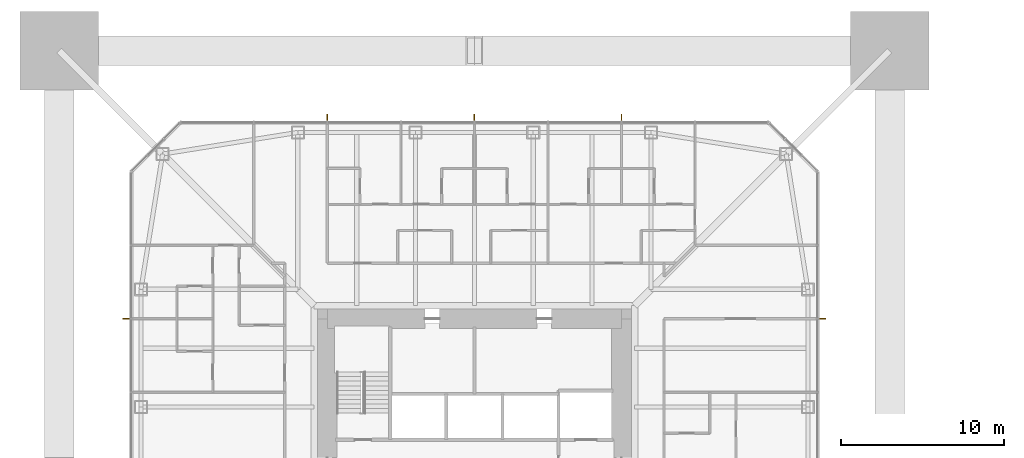
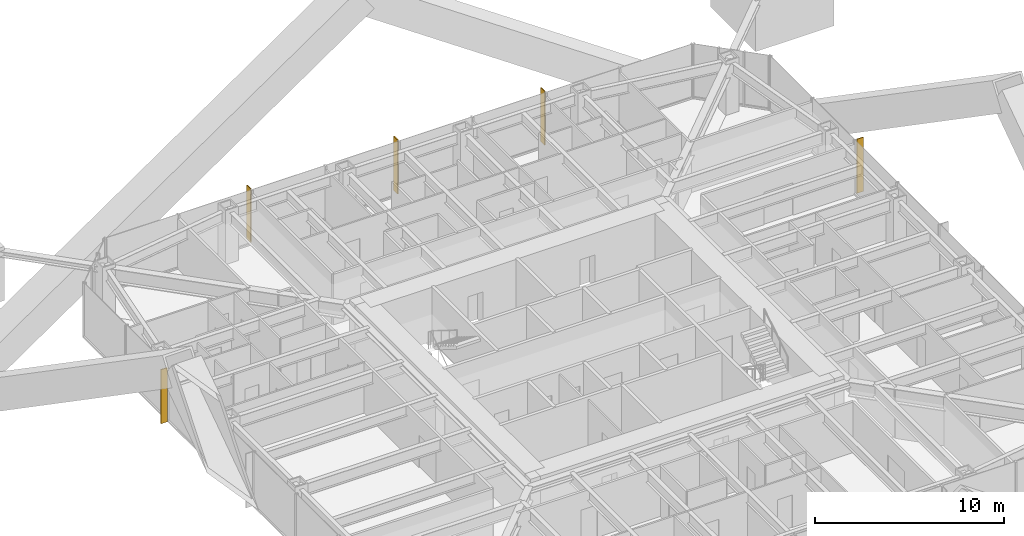
# One storey, part 25 of 26: 5 shading devices.
"""IFC4 building model written with IfcOpenShell, lengths in metres."""

from ifc_helpers import new_model, si_unit, direction, frame, origin, origin_2d, place, context, subcontext, project, spatial, rectangle, extrude, material, layer, layer_set, type_object, element, save


model = new_model("IFC4")

# Units and contexts
model_context = context("Model", 3, precision=1e-05, world=origin(), true_north=direction((0.0, 1.0)))
body_context = subcontext(model_context, "Body", "Model", "MODEL_VIEW")
ifc_project = project(units=[si_unit("LENGTHUNIT", "METRE"), si_unit("AREAUNIT", "SQUARE_METRE"), si_unit("VOLUMEUNIT", "CUBIC_METRE"), si_unit("PLANEANGLEUNIT", "RADIAN"), si_unit("MASSUNIT", "GRAM", prefix="KILO")], contexts=[model_context])

# Site, building, storey
site_placement = place(None, origin())
site = spatial("IfcSite", under=ifc_project, at=site_placement, CompositionType="ELEMENT")
building_placement = place(site_placement, origin())
building = spatial("IfcBuilding", under=site, at=building_placement, Name="Iwan Alto Co-Living Towers", CompositionType="ELEMENT")
storey_placement = place(building_placement, frame((0.0, 0.0, 115.5)))
storey = spatial("IfcBuildingStorey", under=building, at=storey_placement, Name="L31", CompositionType="ELEMENT", Elevation=115.5)

# Shading devices
ifc_material = material(Name="Aluminium 6063-T6 bronze anodised", Category="aluminium")
ifc_layer = layer(ifc_material, 0.050048828125)
ifc_layer_set = layer_set([ifc_layer], Name="BRONZE FIN 50X400")
shading_device_type = type_object("IfcShadingDeviceType", Name="BRONZE FIN 50X400", PredefinedType="USERDEFINED", material=ifc_layer_set)
for number, where, z_axis, x_axis, name in (
    (1, (21.300048828125, 9.0, 0.0), (0.0, 0.0, 1.0), (0.0, 1.0, 0.0), "Bronze fin L31"),
    (2, (9.0, 21.300048828125, 0.0), (0.0, 0.0, 1.0), (-1.0, 0.0, 0.0), "Bronze fin L31"),
    (3, (0.0, 21.300048828125, 0.0), (0.0, 0.0, 1.0), (-1.0, 0.0, 0.0), "Bronze fin L31"),
    (4, (-9.0, 21.300048828125, 0.0), (0.0, 0.0, 1.0), (-1.0, 0.0, 0.0), "Bronze fin L31"),
    (5, (-21.300048828125, 9.0, 0.0), (0.0, 0.0, 1.0), (0.0, -1.0, 0.0), "Bronze fin L31"),
):
    element("IfcShadingDevice", number, at=place(storey_placement, frame(where, z_axis=z_axis, x_axis=x_axis)), inside=storey, type_object=shading_device_type, Name=name, ObjectType="LOUVER", PredefinedType="USERDEFINED", context=body_context, shape_type="SweptSolid", body=[
        extrude(rectangle(XDim=0.050048828125, YDim=0.39990234375, at=origin_2d()), origin(), (0.0, 0.0, 1.0), 3.5),
    ])

save(model, "model.ifc")
